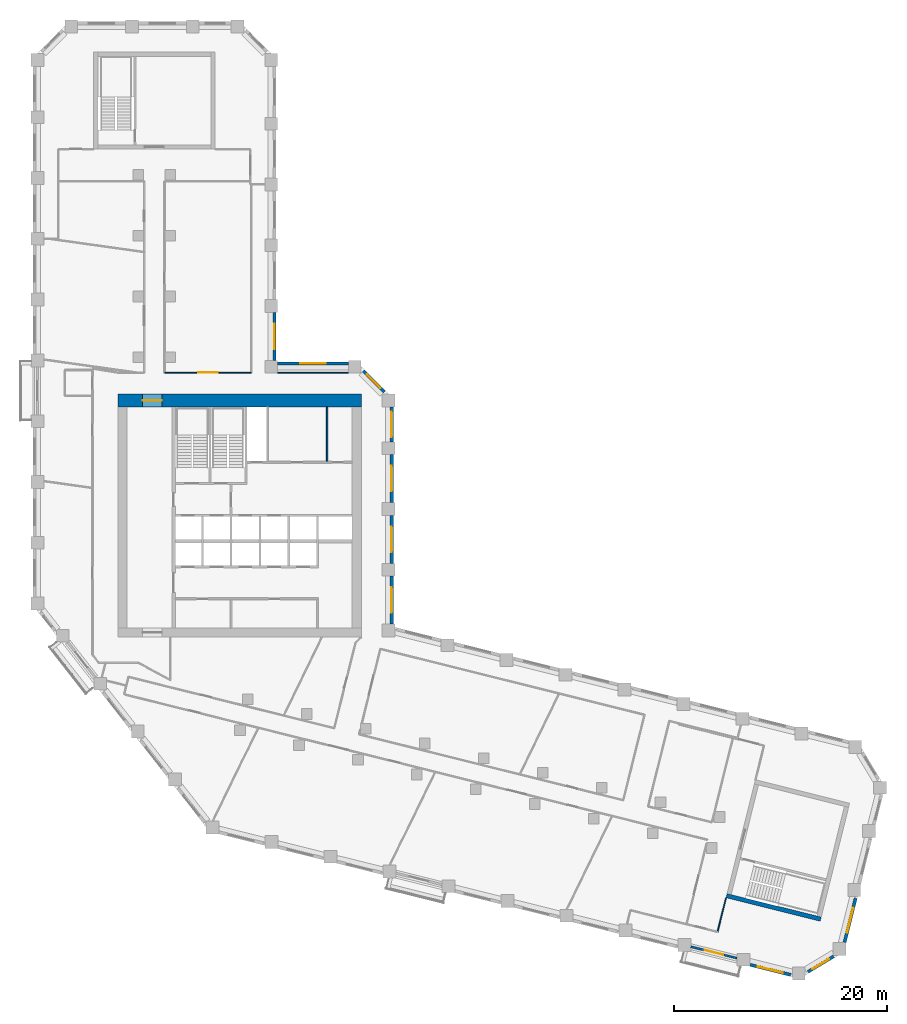
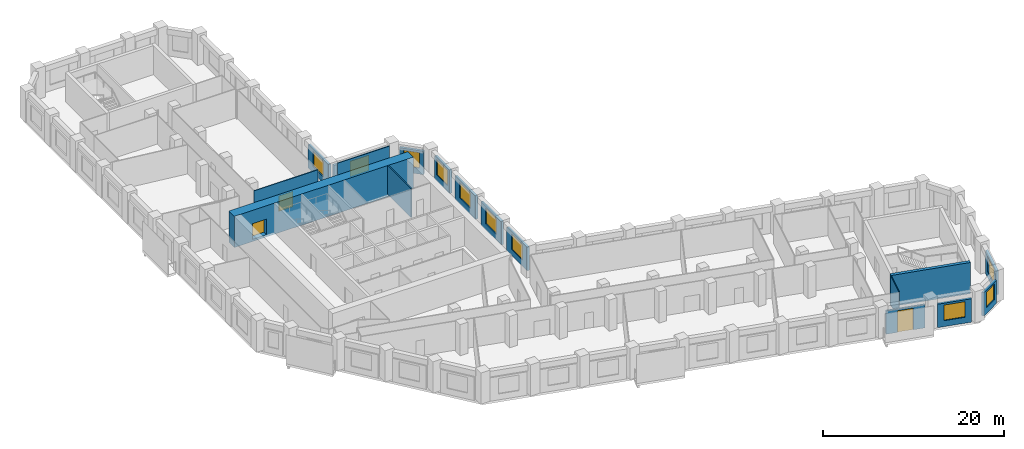
# One storey, part 6 of 10: 17 walls, 10 windows, 3 doors, 13 openings.
"""IFC4 building model written with IfcOpenShell, lengths in metres."""

from ifc_helpers import new_model, si_unit, direction, frame, frame_2d, origin, place, context, subcontext, project, spatial, rectangle, extrude, material, layer, layer_set, type_object, element, fill, save


model = new_model("IFC4")

# Units and contexts
model_context = context("Model", 3, precision=1e-05, world=origin(), true_north=direction((0.0, 1.0)))
body_context = subcontext(model_context, "Body", "Model", "MODEL_VIEW")
ifc_project = project(units=[si_unit("LENGTHUNIT", "METRE"), si_unit("AREAUNIT", "SQUARE_METRE"), si_unit("VOLUMEUNIT", "CUBIC_METRE"), si_unit("PLANEANGLEUNIT", "RADIAN"), si_unit("MASSUNIT", "GRAM", prefix="KILO")], contexts=[model_context])

# Site, building, storey
site_placement = place(None, origin())
site = spatial("IfcSite", under=ifc_project, at=site_placement, CompositionType="ELEMENT")
building_placement = place(site_placement, origin())
building = spatial("IfcBuilding", under=site, at=building_placement, Name="Meshkara Civic Tower", CompositionType="ELEMENT")
storey_placement = place(building_placement, frame((0.0, 0.0, 186.60009765625)))
storey = spatial("IfcBuildingStorey", under=building, at=storey_placement, Name="L42", CompositionType="ELEMENT", Elevation=186.60009765625)

# Wall
ifc_material_1 = material(Name="Blockwork", Category="masonry")
ifc_layer_1 = layer(ifc_material_1, 0.14990234375)
ifc_layer_set_1 = layer_set([ifc_layer_1], Name="Core partition 150")
wall_type_1 = type_object("IfcWallType", Name="Core partition 150", PredefinedType="PARTITIONING", material=ifc_layer_set_1)
wall_1_placement = place(storey_placement, frame((27.60009765625, 30.574951171875, 0.0), z_axis=(0.0, 0.0, 1.0), x_axis=(0.0, 1.0, 0.0)))
element("IfcWall", 1, at=wall_1_placement, inside=storey, type_object=wall_type_1, Name="L42-C022", PredefinedType="PARTITIONING", context=body_context, shape_type="SweptSolid", body=[
    extrude(rectangle(XDim=5.125, YDim=0.14990234375, at=frame_2d((2.5625, 0.0))), origin(), (0.0, 0.0, 1.0), 3.89990234375),
])

# Wall, opening, door
ifc_material_2 = material(Name="Concrete C70", Category="concrete")
ifc_layer_2 = layer(ifc_material_2, 1.199951171875)
ifc_layer_set_2 = layer_set([ifc_layer_2], Name="Core ring wall 1200 C70")
wall_type_2 = type_object("IfcWallType", Name="Core ring wall 1200 C70", PredefinedType="SHEAR", material=ifc_layer_set_2)
wall_2_placement = place(storey_placement, frame((8.0, 36.300048828125, -0.300048828125), z_axis=(0.0, 0.0, 1.0), x_axis=(1.0, 0.0, 0.0)))
wall_2 = element("IfcWall", 2, at=wall_2_placement, inside=storey, type_object=wall_type_2, Name="L42-C002", PredefinedType="SHEAR", context=body_context, shape_type="SweptSolid", body=[
    extrude(rectangle(XDim=22.800048828125, YDim=1.199951171875, at=frame_2d((11.39990234375, 0.0))), origin(), (0.0, 0.0, 1.0), 4.199951171875),
])
opening_1_placement = place(wall_2_placement, frame((2.300048828125, 0.0, 0.300048828125)))
opening_1 = element("IfcOpeningElement", 3, at=opening_1_placement, cuts=wall_2, Name="Opening L42-K020", PredefinedType="OPENING", context=body_context, shape_type="SweptSolid", body=[
    extrude(rectangle(XDim=1.800048828125, YDim=2.10009765625, at=frame_2d((0.89990234375, 1.050048828125))), frame((0.0, 0.60986328125, 0.0), z_axis=(0.0, -1.0, 0.0), x_axis=(1.0, 0.0, 0.0)), (0.0, 0.0, 1.0), 1.219970703125),
])
ifc_material_3 = material(Name="Fire-rated door leaf in steel frame", Category="steel")
door_type_1 = type_object("IfcDoorType", Name="Core double door 1800 EI 60", OperationType="DOUBLE_DOOR_SINGLE_SWING", PredefinedType="DOOR", material=ifc_material_3)
door_1_placement = place(opening_1_placement, origin())
door_1 = element("IfcDoor", 4, at=door_1_placement, inside=storey, type_object=door_type_1, Name="L42-K020", OperationType="DOUBLE_DOOR_SINGLE_SWING", OverallHeight=2.10009765625, OverallWidth=1.800048828125, PredefinedType="DOOR", context=body_context, shape_type="SweptSolid", body=[
    extrude(rectangle(XDim=1.800048828125, YDim=2.10009765625, at=frame_2d((0.89990234375, 1.050048828125))), frame((0.0, 0.02490234375, 0.0), z_axis=(0.0, -1.0, 0.0), x_axis=(1.0, 0.0, 0.0)), (0.0, 0.0, 1.0), 0.050048828125),
])
fill(opening_1, door_1)

ifc_material_4 = material(Name="Corridor wall 100")
ifc_layer_3 = layer(ifc_material_4, 0.10009765625)
ifc_layer_set_3 = layer_set([ifc_layer_3], Name="Corridor wall 100")
wall_type_3 = type_object("IfcWallType", Name="Corridor wall 100", PredefinedType="PARTITIONING", material=ifc_layer_set_3)
wall_3_placement = place(storey_placement, frame((20.5, 38.89990234375, 0.0), z_axis=(0.0, 0.0, 1.0), x_axis=(-1.0, 0.0, 0.0)))
wall_3 = element("IfcWall", 5, at=wall_3_placement, inside=storey, type_object=wall_type_3, Name="L42-W019", PredefinedType="PARTITIONING", context=body_context, shape_type="SweptSolid", body=[
    extrude(rectangle(XDim=8.14990234375, YDim=0.10009765625, at=frame_2d((4.074951171875, 0.0))), origin(), (0.0, 0.0, 1.0), 3.89990234375),
])
opening_2_placement = place(wall_3_placement, frame((3.179931640625, 0.0, 0.0)))
opening_2 = element("IfcOpeningElement", 6, at=opening_2_placement, cuts=wall_3, Name="Opening L42-D017", PredefinedType="OPENING", context=body_context, shape_type="SweptSolid", body=[
    extrude(rectangle(XDim=1.800048828125, YDim=2.10009765625, at=frame_2d((0.89990234375, 1.050048828125))), frame((0.0, 0.06005859375, 0.0), z_axis=(0.0, -1.0, 0.0), x_axis=(1.0, 0.0, 0.0)), (0.0, 0.0, 1.0), 0.1201171875),
])
ifc_material_5 = material(Name="Door pair 1800 x 2100")
door_type_2 = type_object("IfcDoorType", Name="Door pair 1800 x 2100", OperationType="SINGLE_SWING_LEFT", PredefinedType="DOOR", material=ifc_material_5)
door_2_placement = place(opening_2_placement, origin())
door_2 = element("IfcDoor", 7, at=door_2_placement, inside=storey, type_object=door_type_2, Name="L42-D017", OperationType="DOUBLE_DOOR_SINGLE_SWING", OverallHeight=2.10009765625, OverallWidth=1.800048828125, PredefinedType="DOOR", context=body_context, shape_type="SweptSolid", body=[
    extrude(rectangle(XDim=1.800048828125, YDim=2.10009765625, at=frame_2d((0.89990234375, 1.050048828125))), frame((0.0, 0.02490234375, 0.0), z_axis=(0.0, -1.0, 0.0), x_axis=(1.0, 0.0, 0.0)), (0.0, 0.0, 1.0), 0.050048828125),
])
fill(opening_2, door_2)

# Walls
wall_4_placement = place(storey_placement, frame((29.593994140625, 38.89990234375, 0.0), z_axis=(0.0, 0.0, 1.0), x_axis=(-1.0, 0.0, 0.0)))
element("IfcWall", 8, at=wall_4_placement, inside=storey, type_object=wall_type_3, Name="L42-W022", PredefinedType="PARTITIONING", context=body_context, shape_type="SweptSolid", body=[
    extrude(rectangle(XDim=6.64404296875, YDim=0.10009765625, at=frame_2d((3.322021484375, 0.0))), origin(), (0.0, 0.0, 1.0), 3.89990234375),
])
wall_5_placement = place(storey_placement, frame((64.202880859375, -13.533935546875, 0.0), z_axis=(0.0, 0.0, 1.0), x_axis=(0.241856645367, 0.970311992656, 0.0)))
element("IfcWall", 9, at=wall_5_placement, inside=storey, type_object=wall_type_3, Name="L42-W036", PredefinedType="PARTITIONING", context=body_context, shape_type="SweptSolid", body=[
    extrude(rectangle(XDim=3.2998046875, YDim=0.10009765625, at=frame_2d((1.64990234375, 0.0))), origin(), (0.0, 0.0, 1.0), 3.89990234375),
])

# Wall, opening, window
ifc_material_6 = material(Name="Insulated infill panel with bronze anodised aluminium cladding", Category="aluminium")
ifc_layer_4 = layer(ifc_material_6, 0.300048828125)
ifc_layer_set_4 = layer_set([ifc_layer_4], Name="EXTERNAL INFILL WALL 300")
wall_type_4 = type_object("IfcWallType", Name="EXTERNAL INFILL WALL 300", PredefinedType="SOLIDWALL", material=ifc_layer_set_4)
wall_6_placement = place(storey_placement, frame((33.64990234375, 15.319091796875, 0.0), z_axis=(0.0, 0.0, 1.0), x_axis=(0.0, 1.0, 0.0)))
wall_6 = element("IfcWall", 10, at=wall_6_placement, inside=storey, type_object=wall_type_4, Name="External wall", PredefinedType="SOLIDWALL", context=body_context, shape_type="SweptSolid", body=[
    extrude(rectangle(XDim=4.5, YDim=0.300048828125, at=frame_2d((2.25, 0.0))), origin(), (0.0, 0.0, 1.0), 3.14990234375),
])
opening_3_placement = place(wall_6_placement, frame((1.050048828125, 0.0, 0.800048828125)))
opening_3 = element("IfcOpeningElement", 11, at=opening_3_placement, cuts=wall_6, Name="Opening W7", PredefinedType="OPENING", context=body_context, shape_type="SweptSolid", body=[
    extrude(rectangle(XDim=2.39990234375, YDim=2.10009765625, at=frame_2d((1.199951171875, 1.050048828125))), frame((0.0, 0.159912109375, 0.0), z_axis=(0.0, -1.0, 0.0), x_axis=(1.0, 0.0, 0.0)), (0.0, 0.0, 1.0), 0.320068359375),
])
ifc_material_7 = material(Name="Tinted double glazing", Category="glass")
window_type_1 = type_object("IfcWindowType", Name="WINDOW 2400x2100", PartitioningType="DOUBLE_PANEL_VERTICAL", PredefinedType="WINDOW", material=ifc_material_7)
window_1_placement = place(opening_3_placement, origin())
window_1 = element("IfcWindow", 12, at=window_1_placement, inside=storey, type_object=window_type_1, Name="Window", OverallHeight=2.10009765625, OverallWidth=2.39990234375, PartitioningType="DOUBLE_PANEL_VERTICAL", PredefinedType="WINDOW", context=body_context, shape_type="SweptSolid", body=[
    extrude(rectangle(XDim=2.39990234375, YDim=2.10009765625, at=frame_2d((1.199951171875, 1.050048828125))), frame((0.0, 0.030029296875, 0.0), z_axis=(0.0, -1.0, 0.0), x_axis=(1.0, 0.0, 0.0)), (0.0, 0.0, 1.0), 0.06005859375),
])
fill(opening_3, window_1)

wall_7_placement = place(storey_placement, frame((33.64990234375, 21.01904296875, 0.0), z_axis=(0.0, 0.0, 1.0), x_axis=(0.0, 1.0, 0.0)))
wall_7 = element("IfcWall", 13, at=wall_7_placement, inside=storey, type_object=wall_type_4, Name="External wall", PredefinedType="SOLIDWALL", context=body_context, shape_type="SweptSolid", body=[
    extrude(rectangle(XDim=4.5, YDim=0.300048828125, at=frame_2d((2.25, 0.0))), origin(), (0.0, 0.0, 1.0), 3.14990234375),
])
opening_4_placement = place(wall_7_placement, frame((1.050048828125, 0.0, 0.800048828125)))
opening_4 = element("IfcOpeningElement", 14, at=opening_4_placement, cuts=wall_7, Name="Opening W7", PredefinedType="OPENING", context=body_context, shape_type="SweptSolid", body=[
    extrude(rectangle(XDim=2.39990234375, YDim=2.10009765625, at=frame_2d((1.199951171875, 1.050048828125))), frame((0.0, 0.159912109375, 0.0), z_axis=(0.0, -1.0, 0.0), x_axis=(1.0, 0.0, 0.0)), (0.0, 0.0, 1.0), 0.320068359375),
])
window_2_placement = place(opening_4_placement, origin())
window_2 = element("IfcWindow", 15, at=window_2_placement, inside=storey, type_object=window_type_1, Name="Window", OverallHeight=2.10009765625, OverallWidth=2.39990234375, PartitioningType="DOUBLE_PANEL_VERTICAL", PredefinedType="WINDOW", context=body_context, shape_type="SweptSolid", body=[
    extrude(rectangle(XDim=2.39990234375, YDim=2.10009765625, at=frame_2d((1.199951171875, 1.050048828125))), frame((0.0, 0.030029296875, 0.0), z_axis=(0.0, -1.0, 0.0), x_axis=(1.0, 0.0, 0.0)), (0.0, 0.0, 1.0), 0.06005859375),
])
fill(opening_4, window_2)

wall_8_placement = place(storey_placement, frame((33.64990234375, 26.718994140625, 0.0), z_axis=(0.0, 0.0, 1.0), x_axis=(0.0, 1.0, 0.0)))
wall_8 = element("IfcWall", 16, at=wall_8_placement, inside=storey, type_object=wall_type_4, Name="External wall", PredefinedType="SOLIDWALL", context=body_context, shape_type="SweptSolid", body=[
    extrude(rectangle(XDim=4.5, YDim=0.300048828125, at=frame_2d((2.25, 0.0))), origin(), (0.0, 0.0, 1.0), 3.14990234375),
])
opening_5_placement = place(wall_8_placement, frame((1.050048828125, 0.0, 0.800048828125)))
opening_5 = element("IfcOpeningElement", 17, at=opening_5_placement, cuts=wall_8, Name="Opening W7", PredefinedType="OPENING", context=body_context, shape_type="SweptSolid", body=[
    extrude(rectangle(XDim=2.39990234375, YDim=2.10009765625, at=frame_2d((1.199951171875, 1.050048828125))), frame((0.0, 0.159912109375, 0.0), z_axis=(0.0, -1.0, 0.0), x_axis=(1.0, 0.0, 0.0)), (0.0, 0.0, 1.0), 0.320068359375),
])
window_3_placement = place(opening_5_placement, origin())
window_3 = element("IfcWindow", 18, at=window_3_placement, inside=storey, type_object=window_type_1, Name="Window", OverallHeight=2.10009765625, OverallWidth=2.39990234375, PartitioningType="DOUBLE_PANEL_VERTICAL", PredefinedType="WINDOW", context=body_context, shape_type="SweptSolid", body=[
    extrude(rectangle(XDim=2.39990234375, YDim=2.10009765625, at=frame_2d((1.199951171875, 1.050048828125))), frame((0.0, 0.030029296875, 0.0), z_axis=(0.0, -1.0, 0.0), x_axis=(1.0, 0.0, 0.0)), (0.0, 0.0, 1.0), 0.06005859375),
])
fill(opening_5, window_3)

wall_9_placement = place(storey_placement, frame((33.64990234375, 32.4189453125, 0.0), z_axis=(0.0, 0.0, 1.0), x_axis=(0.0, 1.0, 0.0)))
wall_9 = element("IfcWall", 19, at=wall_9_placement, inside=storey, type_object=wall_type_4, Name="External wall", PredefinedType="SOLIDWALL", context=body_context, shape_type="SweptSolid", body=[
    extrude(rectangle(XDim=3.275146484375, YDim=0.300048828125, at=frame_2d((1.6376953125, 0.0))), origin(), (0.0, 0.0, 1.0), 3.14990234375),
])
opening_6_placement = place(wall_9_placement, frame((0.43798828125, 0.0, 0.800048828125)))
opening_6 = element("IfcOpeningElement", 20, at=opening_6_placement, cuts=wall_9, Name="Opening W7", PredefinedType="OPENING", context=body_context, shape_type="SweptSolid", body=[
    extrude(rectangle(XDim=2.39990234375, YDim=2.10009765625, at=frame_2d((1.199951171875, 1.050048828125))), frame((0.0, 0.159912109375, 0.0), z_axis=(0.0, -1.0, 0.0), x_axis=(1.0, 0.0, 0.0)), (0.0, 0.0, 1.0), 0.320068359375),
])
window_4_placement = place(opening_6_placement, origin())
window_4 = element("IfcWindow", 21, at=window_4_placement, inside=storey, type_object=window_type_1, Name="Window", OverallHeight=2.10009765625, OverallWidth=2.39990234375, PartitioningType="DOUBLE_PANEL_VERTICAL", PredefinedType="WINDOW", context=body_context, shape_type="SweptSolid", body=[
    extrude(rectangle(XDim=2.39990234375, YDim=2.10009765625, at=frame_2d((1.199951171875, 1.050048828125))), frame((0.0, 0.030029296875, 0.0), z_axis=(0.0, -1.0, 0.0), x_axis=(1.0, 0.0, 0.0)), (0.0, 0.0, 1.0), 0.06005859375),
])
fill(opening_6, window_4)

wall_10_placement = place(storey_placement, frame((32.9619140625, 37.10595703125, 0.0), z_axis=(0.0, 0.0, 1.0), x_axis=(-0.707062649074, 0.707150910545, 0.0)))
wall_10 = element("IfcWall", 22, at=wall_10_placement, inside=storey, type_object=wall_type_4, Name="External wall", PredefinedType="SOLIDWALL", context=body_context, shape_type="SweptSolid", body=[
    extrude(rectangle(XDim=2.76611328125, YDim=0.300048828125, at=frame_2d((1.383056640625, 0.0))), origin(), (0.0, 0.0, 1.0), 3.14990234375),
])
opening_7_placement = place(wall_10_placement, frame((0.48291015625, 0.0, 0.800048828125)))
opening_7 = element("IfcOpeningElement", 23, at=opening_7_placement, cuts=wall_10, Name="Opening W9", PredefinedType="OPENING", context=body_context, shape_type="SweptSolid", body=[
    extrude(rectangle(XDim=1.800048828125, YDim=2.10009765625, at=frame_2d((0.89990234375, 1.050048828125))), frame((0.0, 0.159912109375, 0.0), z_axis=(0.0, -1.0, 0.0), x_axis=(1.0, 0.0, 0.0)), (0.0, 0.0, 1.0), 0.320068359375),
])
ifc_material_8 = material(Name="Tinted double glazing", Category="glass")
window_type_2 = type_object("IfcWindowType", Name="WINDOW 1800x2100", PartitioningType="DOUBLE_PANEL_VERTICAL", PredefinedType="WINDOW", material=ifc_material_8)
window_5_placement = place(opening_7_placement, origin())
window_5 = element("IfcWindow", 24, at=window_5_placement, inside=storey, type_object=window_type_2, Name="Window", OverallHeight=2.10009765625, OverallWidth=1.800048828125, PartitioningType="DOUBLE_PANEL_VERTICAL", PredefinedType="WINDOW", context=body_context, shape_type="SweptSolid", body=[
    extrude(rectangle(XDim=1.800048828125, YDim=2.10009765625, at=frame_2d((0.89990234375, 1.050048828125))), frame((0.0, 0.030029296875, 0.0), z_axis=(0.0, -1.0, 0.0), x_axis=(1.0, 0.0, 0.0)), (0.0, 0.0, 1.0), 0.06005859375),
])
fill(opening_7, window_5)

wall_11_placement = place(storey_placement, frame((29.593994140625, 39.75, 0.0), z_axis=(0.0, 0.0, 1.0), x_axis=(-1.0, 0.0, 0.0)))
wall_11 = element("IfcWall", 25, at=wall_11_placement, inside=storey, type_object=wall_type_4, Name="External wall", PredefinedType="SOLIDWALL", context=body_context, shape_type="SweptSolid", body=[
    extrude(rectangle(XDim=6.64404296875, YDim=0.300048828125, at=frame_2d((3.322021484375, 0.0))), origin(), (0.0, 0.0, 1.0), 3.14990234375),
])
opening_8_placement = place(wall_11_placement, frame((2.1220703125, 0.0, 0.800048828125)))
opening_8 = element("IfcOpeningElement", 26, at=opening_8_placement, cuts=wall_11, Name="Opening W7", PredefinedType="OPENING", context=body_context, shape_type="SweptSolid", body=[
    extrude(rectangle(XDim=2.39990234375, YDim=2.10009765625, at=frame_2d((1.199951171875, 1.050048828125))), frame((0.0, 0.159912109375, 0.0), z_axis=(0.0, -1.0, 0.0), x_axis=(1.0, 0.0, 0.0)), (0.0, 0.0, 1.0), 0.320068359375),
])
window_6_placement = place(opening_8_placement, origin())
window_6 = element("IfcWindow", 27, at=window_6_placement, inside=storey, type_object=window_type_1, Name="Window", OverallHeight=2.10009765625, OverallWidth=2.39990234375, PartitioningType="DOUBLE_PANEL_VERTICAL", PredefinedType="WINDOW", context=body_context, shape_type="SweptSolid", body=[
    extrude(rectangle(XDim=2.39990234375, YDim=2.10009765625, at=frame_2d((1.199951171875, 1.050048828125))), frame((0.0, 0.030029296875, 0.0), z_axis=(0.0, -1.0, 0.0), x_axis=(1.0, 0.0, 0.0)), (0.0, 0.0, 1.0), 0.06005859375),
])
fill(opening_8, window_6)

wall_12_placement = place(storey_placement, frame((22.64990234375, 40.050048828125, 0.0), z_axis=(0.0, 0.0, 1.0), x_axis=(0.0, 1.0, 0.0)))
wall_12 = element("IfcWall", 28, at=wall_12_placement, inside=storey, type_object=wall_type_4, Name="External wall", PredefinedType="SOLIDWALL", context=body_context, shape_type="SweptSolid", body=[
    extrude(rectangle(XDim=4.5, YDim=0.300048828125, at=frame_2d((2.25, 0.0))), origin(), (0.0, 0.0, 1.0), 3.14990234375),
])
opening_9_placement = place(wall_12_placement, frame((1.050048828125, 0.0, 0.800048828125)))
opening_9 = element("IfcOpeningElement", 29, at=opening_9_placement, cuts=wall_12, Name="Opening W7", PredefinedType="OPENING", context=body_context, shape_type="SweptSolid", body=[
    extrude(rectangle(XDim=2.39990234375, YDim=2.10009765625, at=frame_2d((1.199951171875, 1.050048828125))), frame((0.0, 0.159912109375, 0.0), z_axis=(0.0, -1.0, 0.0), x_axis=(1.0, 0.0, 0.0)), (0.0, 0.0, 1.0), 0.320068359375),
])
window_7_placement = place(opening_9_placement, origin())
window_7 = element("IfcWindow", 30, at=window_7_placement, inside=storey, type_object=window_type_1, Name="Window", OverallHeight=2.10009765625, OverallWidth=2.39990234375, PartitioningType="DOUBLE_PANEL_VERTICAL", PredefinedType="WINDOW", context=body_context, shape_type="SweptSolid", body=[
    extrude(rectangle(XDim=2.39990234375, YDim=2.10009765625, at=frame_2d((1.199951171875, 1.050048828125))), frame((0.0, 0.030029296875, 0.0), z_axis=(0.0, -1.0, 0.0), x_axis=(1.0, 0.0, 0.0)), (0.0, 0.0, 1.0), 0.06005859375),
])
fill(opening_9, window_7)

wall_13_placement = place(storey_placement, frame((67.260009765625, -16.614990234375, 0.0), z_axis=(0.0, 0.0, 1.0), x_axis=(0.97033344074, -0.241770580885, 0.0)))
wall_13 = element("IfcWall", 31, at=wall_13_placement, inside=storey, type_object=wall_type_4, Name="External wall", PredefinedType="SOLIDWALL", context=body_context, shape_type="SweptSolid", body=[
    extrude(rectangle(XDim=3.905029296875, YDim=0.300048828125, at=frame_2d((1.95263671875, 0.0))), origin(), (0.0, 0.0, 1.0), 3.14990234375),
])
opening_10_placement = place(wall_13_placement, frame((0.751953125, 0.0, 0.800048828125)))
opening_10 = element("IfcOpeningElement", 32, at=opening_10_placement, cuts=wall_13, Name="Opening W7", PredefinedType="OPENING", context=body_context, shape_type="SweptSolid", body=[
    extrude(rectangle(XDim=2.39990234375, YDim=2.10009765625, at=frame_2d((1.199951171875, 1.050048828125))), frame((0.0, 0.159912109375, 0.0), z_axis=(0.0, -1.0, 0.0), x_axis=(1.0, 0.0, 0.0)), (0.0, 0.0, 1.0), 0.320068359375),
])
window_8_placement = place(opening_10_placement, origin())
window_8 = element("IfcWindow", 33, at=window_8_placement, inside=storey, type_object=window_type_1, Name="Window", OverallHeight=2.10009765625, OverallWidth=2.39990234375, PartitioningType="DOUBLE_PANEL_VERTICAL", PredefinedType="WINDOW", context=body_context, shape_type="SweptSolid", body=[
    extrude(rectangle(XDim=2.39990234375, YDim=2.10009765625, at=frame_2d((1.199951171875, 1.050048828125))), frame((0.0, 0.030029296875, 0.0), z_axis=(0.0, -1.0, 0.0), x_axis=(1.0, 0.0, 0.0)), (0.0, 0.0, 1.0), 0.06005859375),
])
fill(opening_10, window_8)

wall_14_placement = place(storey_placement, frame((72.68701171875, -17.277099609375, 0.0), z_axis=(0.0, 0.0, 1.0), x_axis=(0.857309341171, 0.514801606, 0.0)))
wall_14 = element("IfcWall", 34, at=wall_14_placement, inside=storey, type_object=wall_type_4, Name="External wall", PredefinedType="SOLIDWALL", context=body_context, shape_type="SweptSolid", body=[
    extrude(rectangle(XDim=2.81689453125, YDim=0.300048828125, at=frame_2d((1.408447265625, 0.0))), origin(), (0.0, 0.0, 1.0), 3.14990234375),
])
opening_11_placement = place(wall_14_placement, frame((0.508056640625, 0.0, 0.800048828125)))
opening_11 = element("IfcOpeningElement", 35, at=opening_11_placement, cuts=wall_14, Name="Opening W9", PredefinedType="OPENING", context=body_context, shape_type="SweptSolid", body=[
    extrude(rectangle(XDim=1.800048828125, YDim=2.10009765625, at=frame_2d((0.89990234375, 1.050048828125))), frame((0.0, 0.159912109375, 0.0), z_axis=(0.0, -1.0, 0.0), x_axis=(1.0, 0.0, 0.0)), (0.0, 0.0, 1.0), 0.320068359375),
])
window_9_placement = place(opening_11_placement, origin())
window_9 = element("IfcWindow", 36, at=window_9_placement, inside=storey, type_object=window_type_2, Name="Window", OverallHeight=2.10009765625, OverallWidth=1.800048828125, PartitioningType="DOUBLE_PANEL_VERTICAL", PredefinedType="WINDOW", context=body_context, shape_type="SweptSolid", body=[
    extrude(rectangle(XDim=1.800048828125, YDim=2.10009765625, at=frame_2d((0.89990234375, 1.050048828125))), frame((0.0, 0.030029296875, 0.0), z_axis=(0.0, -1.0, 0.0), x_axis=(1.0, 0.0, 0.0)), (0.0, 0.0, 1.0), 0.06005859375),
])
fill(opening_11, window_9)

wall_15_placement = place(storey_placement, frame((76.12109375, -14.511962890625, 0.0), z_axis=(0.0, 0.0, 1.0), x_axis=(0.241845562088, 0.970314755169, 0.0)))
wall_15 = element("IfcWall", 37, at=wall_15_placement, inside=storey, type_object=wall_type_4, Name="External wall", PredefinedType="SOLIDWALL", context=body_context, shape_type="SweptSolid", body=[
    extrude(rectangle(XDim=4.245849609375, YDim=0.300048828125, at=frame_2d((2.123046875, 0.0))), origin(), (0.0, 0.0, 1.0), 3.14990234375),
])
opening_12_placement = place(wall_15_placement, frame((0.923095703125, 0.0, 0.800048828125)))
opening_12 = element("IfcOpeningElement", 38, at=opening_12_placement, cuts=wall_15, Name="Opening W7", PredefinedType="OPENING", context=body_context, shape_type="SweptSolid", body=[
    extrude(rectangle(XDim=2.39990234375, YDim=2.10009765625, at=frame_2d((1.199951171875, 1.050048828125))), frame((0.0, 0.159912109375, 0.0), z_axis=(0.0, -1.0, 0.0), x_axis=(1.0, 0.0, 0.0)), (0.0, 0.0, 1.0), 0.320068359375),
])
window_10_placement = place(opening_12_placement, origin())
window_10 = element("IfcWindow", 39, at=window_10_placement, inside=storey, type_object=window_type_1, Name="Window", OverallHeight=2.10009765625, OverallWidth=2.39990234375, PartitioningType="DOUBLE_PANEL_VERTICAL", PredefinedType="WINDOW", context=body_context, shape_type="SweptSolid", body=[
    extrude(rectangle(XDim=2.39990234375, YDim=2.10009765625, at=frame_2d((1.199951171875, 1.050048828125))), frame((0.0, 0.030029296875, 0.0), z_axis=(0.0, -1.0, 0.0), x_axis=(1.0, 0.0, 0.0)), (0.0, 0.0, 1.0), 0.06005859375),
])
fill(opening_12, window_10)

# Wall
ifc_material_9 = material(Name="Concrete C70", Category="concrete")
ifc_layer_5 = layer(ifc_material_9, 0.39990234375)
ifc_layer_set_5 = layer_set([ifc_layer_5], Name="End core ring wall 400 C70")
wall_type_5 = type_object("IfcWallType", Name="End core ring wall 400 C70", PredefinedType="SHEAR", material=ifc_layer_set_5)
wall_16_placement = place(storey_placement, frame((65.050048828125, -10.137939453125, -0.300048828125), z_axis=(0.0, 0.0, 1.0), x_axis=(0.970273354879, -0.242011604707, 0.0)))
element("IfcWall", 40, at=wall_16_placement, inside=storey, type_object=wall_type_5, Name="L42-C028", PredefinedType="SHEAR", context=body_context, shape_type="SweptSolid", body=[
    extrude(rectangle(XDim=9.099365234375, YDim=0.39990234375, at=frame_2d((4.5498046875, 0.0))), origin(), (0.0, 0.0, 1.0), 4.199951171875),
])

# Wall, opening, door
ifc_material_10 = material(Name="Insulated infill panel with bronze anodised aluminium cladding", Category="aluminium")
ifc_layer_6 = layer(ifc_material_10, 0.199951171875)
ifc_layer_set_6 = layer_set([ifc_layer_6], Name="LOGGIA BACK WALL 200")
wall_type_6 = type_object("IfcWallType", Name="LOGGIA BACK WALL 200", PredefinedType="SOLIDWALL", material=ifc_layer_set_6)
wall_17_placement = place(storey_placement, frame((61.697021484375, -14.9189453125, 0.0), z_axis=(0.0, 0.0, 1.0), x_axis=(0.970322450875, -0.241814683856, 0.0)))
wall_17 = element("IfcWall", 41, at=wall_17_placement, inside=storey, type_object=wall_type_6, Name="Loggia wall", PredefinedType="SOLIDWALL", context=body_context, shape_type="SweptSolid", body=[
    extrude(rectangle(XDim=4.46240234375, YDim=0.199951171875, at=frame_2d((2.231201171875, 0.0))), origin(), (0.0, 0.0, 1.0), 3.14990234375),
])
opening_13_placement = place(wall_17_placement, frame((1.3310546875, 0.0, 0.0)))
opening_13 = element("IfcOpeningElement", 42, at=opening_13_placement, cuts=wall_17, Name="Opening L42-L004", PredefinedType="OPENING", context=body_context, shape_type="SweptSolid", body=[
    extrude(rectangle(XDim=1.800048828125, YDim=2.89990234375, at=frame_2d((0.89990234375, 1.449951171875))), frame((0.0, 0.10986328125, 0.0), z_axis=(0.0, -1.0, 0.0), x_axis=(1.0, 0.0, 0.0)), (0.0, 0.0, 1.0), 0.219970703125),
])
ifc_material_11 = material(Name="Tinted double glazing", Category="glass")
door_type_3 = type_object("IfcDoorType", Name="LOGGIA DOOR 1800x2900", OperationType="DOUBLE_DOOR_SINGLE_SWING", PredefinedType="DOOR", material=ifc_material_11)
door_3_placement = place(opening_13_placement, origin())
door_3 = element("IfcDoor", 43, at=door_3_placement, inside=storey, type_object=door_type_3, Name="L42-L004", OperationType="DOUBLE_DOOR_SINGLE_SWING", OverallHeight=2.89990234375, OverallWidth=1.800048828125, PredefinedType="DOOR", context=body_context, shape_type="SweptSolid", body=[
    extrude(rectangle(XDim=1.800048828125, YDim=2.89990234375, at=frame_2d((0.89990234375, 1.449951171875))), frame((0.0, 0.02490234375, 0.0), z_axis=(0.0, -1.0, 0.0), x_axis=(1.0, 0.0, 0.0)), (0.0, 0.0, 1.0), 0.050048828125),
])
fill(opening_13, door_3)

save(model, "model.ifc")
